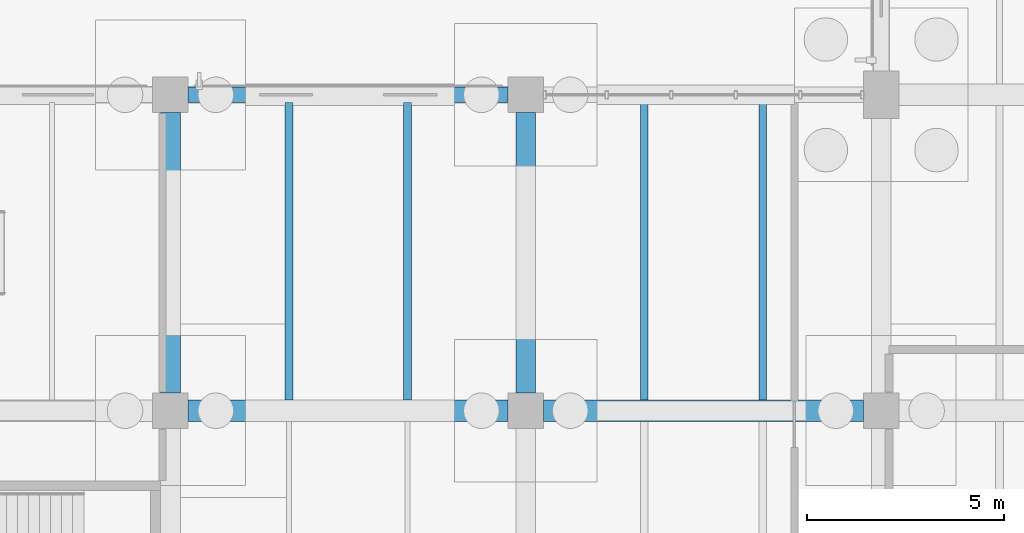
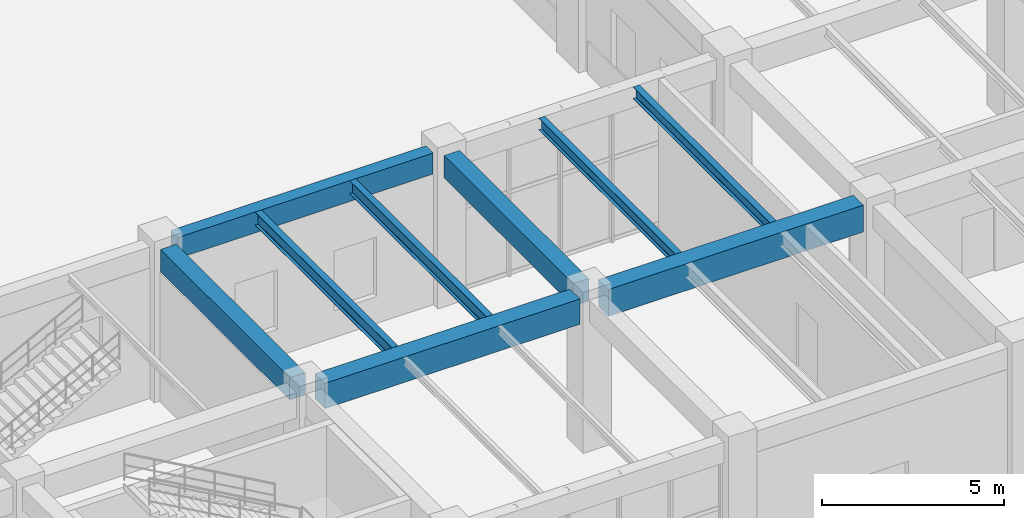
# One storey, part 57 of 121: 9 beams.
"""IFC4 building model written with IfcOpenShell, lengths in metres."""

from ifc_helpers import new_model, si_unit, derived_unit, direction, frame, origin, origin_2d, place, context, subcontext, project, spatial, rectangle, i_section, extrude, material, material_profile, profile_set, type_object, element, save


model = new_model("IFC4")

# Units and contexts
model_context = context("Model", 3, precision=1e-05, world=origin(), true_north=direction((0.0, 1.0)))
body_context = subcontext(model_context, "Body", "Model", "MODEL_VIEW")
ifc_project = project(units=[si_unit("LENGTHUNIT", "METRE"), si_unit("AREAUNIT", "SQUARE_METRE"), si_unit("VOLUMEUNIT", "CUBIC_METRE"), si_unit("PLANEANGLEUNIT", "RADIAN"), si_unit("MASSUNIT", "GRAM", prefix="KILO"), derived_unit("THERMALTRANSMITTANCEUNIT", [(si_unit("MASSUNIT", "GRAM", prefix="KILO"), 1), (si_unit("TIMEUNIT", "SECOND"), -3), (si_unit("THERMODYNAMICTEMPERATUREUNIT", "KELVIN"), -1)])], contexts=[model_context])

# Site, building, storey
site_placement = place(None, origin())
site = spatial("IfcSite", under=ifc_project, at=site_placement, CompositionType="ELEMENT")
building_placement = place(site_placement, origin())
building = spatial("IfcBuilding", under=site, at=building_placement, Name="Zhenchuan Archway Interchange", CompositionType="ELEMENT")
storey_placement = place(building_placement, origin())
storey = spatial("IfcBuildingStorey", under=building, at=storey_placement, Name="L00", CompositionType="ELEMENT", Elevation=0.0)

# Beams
ifc_material_1 = material(Name="Concrete C40", Category="concrete")
ifc_material_profile_1 = material_profile(ifc_material_1, rectangle(XDim=0.5, YDim=0.75, at=origin_2d()), Name="RC 500x750")
ifc_profile_set_1 = profile_set([ifc_material_profile_1], Name="Concrete C40")
beam_type_1 = type_object("IfcBeamType", Name="BM_RC_500x750", PredefinedType="BEAM", material=ifc_profile_set_1)
for number, where, z_axis, x_axis, name in (
    (1, (126.0, 16.449951171875, 4.705078125), (0.0, 1.0, 0.0), (-1.0, 0.0, 0.0), "Beam 15:C-D (L00)"),
    (2, (135.0, 16.449951171875, 4.705078125), (0.0, 1.0, 0.0), (-1.0, 0.0, 0.0), "Beam 16:C-D (L00)"),
):
    element("IfcBeam", number, at=place(storey_placement, frame(where, z_axis=z_axis, x_axis=x_axis)), inside=storey, type_object=beam_type_1, Name=name, PredefinedType="BEAM", context=body_context, shape_type="SweptSolid", body=[
        extrude(rectangle(XDim=0.5, YDim=0.75, at=origin_2d()), origin(), (0.0, 0.0, 1.0), 7.10009765625),
    ])
ifc_material_profile_2 = material_profile(ifc_material_1, rectangle(XDim=0.550048828125, YDim=0.85009765625, at=origin_2d()), Name="RC 550x850")
ifc_profile_set_2 = profile_set([ifc_material_profile_2], Name="Concrete C40")
beam_type_2 = type_object("IfcBeamType", Name="BM_RC_550x850", PredefinedType="BEAM", material=ifc_profile_set_2)
beam_1_placement = place(storey_placement, frame((126.449951171875, 16.0, 4.655029296875), z_axis=(1.0, 0.0, 0.0), x_axis=(0.0, 1.0, 0.0)))
element("IfcBeam", 3, at=beam_1_placement, inside=storey, type_object=beam_type_2, Name="Beam C:15-16 (L00)", PredefinedType="BEAM", context=body_context, shape_type="SweptSolid", body=[
    extrude(rectangle(XDim=0.550048828125, YDim=0.85009765625, at=origin_2d()), origin(), (0.0, 0.0, 1.0), 8.10009765625),
])
ifc_material_profile_3 = material_profile(ifc_material_1, rectangle(XDim=0.550048828125, YDim=0.89990234375, at=origin_2d()), Name="RC 550x900")
ifc_profile_set_3 = profile_set([ifc_material_profile_3], Name="Concrete C40")
beam_type_3 = type_object("IfcBeamType", Name="BM_RC_550x900", PredefinedType="BEAM", material=ifc_profile_set_3)
beam_2_placement = place(storey_placement, frame((135.449951171875, 16.0, 4.6298828125), z_axis=(1.0, 0.0, 0.0), x_axis=(0.0, 1.0, 0.0)))
element("IfcBeam", 4, at=beam_2_placement, inside=storey, type_object=beam_type_3, Name="Beam C:16-17 (L00)", PredefinedType="BEAM", context=body_context, shape_type="SweptSolid", body=[
    extrude(rectangle(XDim=0.550048828125, YDim=0.89990234375, at=origin_2d()), origin(), (0.0, 0.0, 1.0), 8.10009765625),
])
ifc_material_2 = material(Name="Steel Q355", Category="steel")
ifc_material_profile_4 = material_profile(ifc_material_2, i_section(OverallWidth=0.199951171875, OverallDepth=0.39990234375, WebThickness=0.008056640625, FlangeThickness=0.012939453125, FilletRadius=0.01611328125, at=origin_2d()), Name="HN 400x200")
ifc_profile_set_4 = profile_set([ifc_material_profile_4], Name="Steel Q355")
beam_type_4 = type_object("IfcBeamType", Name="JST_STL_HN400", PredefinedType="JOIST", material=ifc_profile_set_4)
for number, where, z_axis, x_axis, name in (
    (5, (138.0, 16.27490234375, 4.8798828125), (0.0, 1.0, 0.0), (-1.0, 0.0, 0.0), "Secondary joist 16-17/C-D #1 (L00)"),
    (6, (141.0, 16.27490234375, 4.8798828125), (0.0, 1.0, 0.0), (-1.0, 0.0, 0.0), "Secondary joist 16-17/C-D #2 (L00)"),
):
    element("IfcBeam", number, at=place(storey_placement, frame(where, z_axis=z_axis, x_axis=x_axis)), inside=storey, type_object=beam_type_4, Name=name, PredefinedType="JOIST", context=body_context, shape_type="SweptSolid", body=[
        extrude(i_section(OverallWidth=0.199951171875, OverallDepth=0.39990234375, WebThickness=0.008056640625, FlangeThickness=0.012939453125, FilletRadius=0.01611328125, at=origin_2d()), origin(), (0.0, 0.0, 1.0), 7.525146484375),
    ])
ifc_material_profile_5 = material_profile(ifc_material_2, i_section(OverallWidth=0.199951171875, OverallDepth=0.449951171875, WebThickness=0.009033203125, FlangeThickness=0.013916015625, FilletRadius=0.01806640625, at=origin_2d()), Name="HN 450x200")
ifc_profile_set_5 = profile_set([ifc_material_profile_5], Name="Steel Q355")
beam_type_5 = type_object("IfcBeamType", Name="JST_STL_HN450", PredefinedType="JOIST", material=ifc_profile_set_5)
for number, where, z_axis, x_axis, name in (
    (7, (129.0, 16.27490234375, 4.85498046875), (0.0, 1.0, 0.0), (-1.0, 0.0, 0.0), "Secondary joist 15-16/C-D #1 (L00)"),
    (8, (132.0, 16.27490234375, 4.85498046875), (0.0, 1.0, 0.0), (-1.0, 0.0, 0.0), "Secondary joist 15-16/C-D #2 (L00)"),
):
    element("IfcBeam", number, at=place(storey_placement, frame(where, z_axis=z_axis, x_axis=x_axis)), inside=storey, type_object=beam_type_5, Name=name, PredefinedType="JOIST", context=body_context, shape_type="SweptSolid", body=[
        extrude(i_section(OverallWidth=0.199951171875, OverallDepth=0.449951171875, WebThickness=0.009033203125, FlangeThickness=0.013916015625, FilletRadius=0.01806640625, at=origin_2d()), origin(), (0.0, 0.0, 1.0), 7.525146484375),
    ])
ifc_material_profile_6 = material_profile(ifc_material_1, rectangle(XDim=0.39990234375, YDim=0.699951171875, at=origin_2d()), Name="RC 400x700")
ifc_profile_set_6 = profile_set([ifc_material_profile_6], Name="Concrete C40")
beam_type_6 = type_object("IfcBeamType", Name="SP_RC_400x700", PredefinedType="SPANDREL", material=ifc_profile_set_6)
beam_3_placement = place(storey_placement, frame((126.449951171875, 24.0, 4.72998046875), z_axis=(1.0, 0.0, 0.0), x_axis=(0.0, 1.0, 0.0)))
element("IfcBeam", 9, at=beam_3_placement, inside=storey, type_object=beam_type_6, Name="Beam D:15-16 (L00)", PredefinedType="SPANDREL", context=body_context, shape_type="SweptSolid", body=[
    extrude(rectangle(XDim=0.39990234375, YDim=0.699951171875, at=origin_2d()), origin(), (0.0, 0.0, 1.0), 8.10009765625),
])

save(model, "model.ifc")
